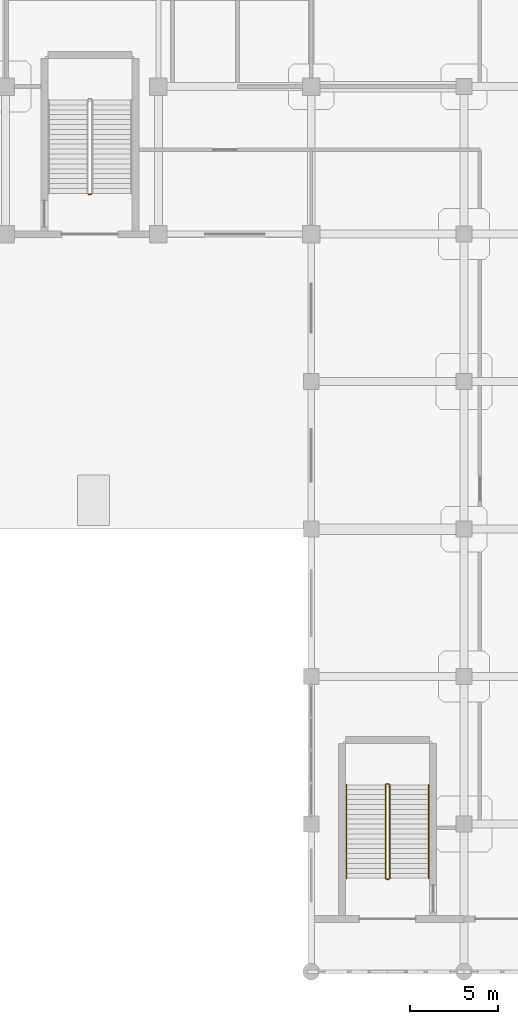
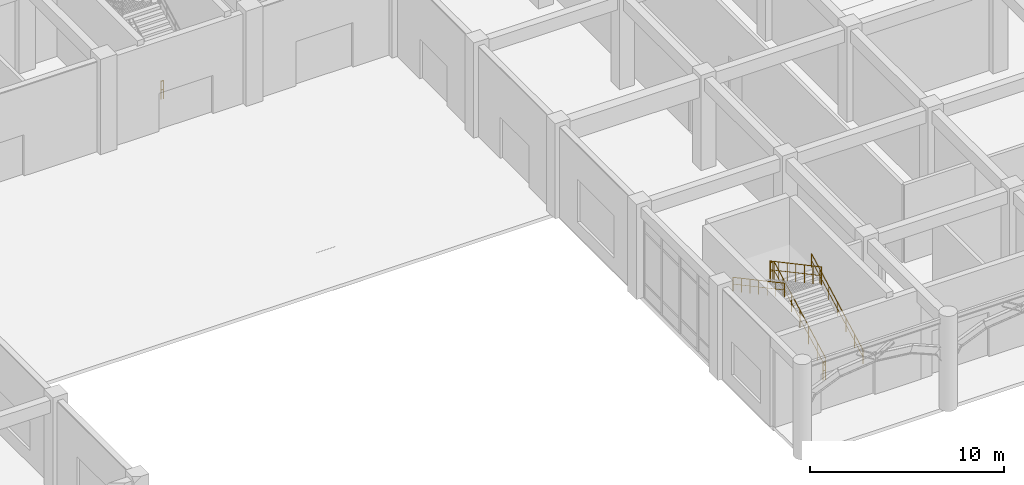
# One storey, part 76 of 82: 7 railings.
"""IFC4 building model written with IfcOpenShell, lengths in metres."""

from ifc_helpers import new_model, si_unit, derived_unit, direction, frame, origin, origin_2d, place, context, subcontext, project, spatial, circle, extrude, material, type_object, element, save


model = new_model("IFC4")

# Units and contexts
model_context = context("Model", 3, precision=1e-05, world=origin(), true_north=direction((0.0, 1.0)))
body_context = subcontext(model_context, "Body", "Model", "MODEL_VIEW")
ifc_project = project(units=[si_unit("LENGTHUNIT", "METRE"), si_unit("AREAUNIT", "SQUARE_METRE"), si_unit("VOLUMEUNIT", "CUBIC_METRE"), si_unit("PLANEANGLEUNIT", "RADIAN"), si_unit("MASSUNIT", "GRAM", prefix="KILO"), derived_unit("THERMALTRANSMITTANCEUNIT", [(si_unit("MASSUNIT", "GRAM", prefix="KILO"), 1), (si_unit("TIMEUNIT", "SECOND"), -3), (si_unit("THERMODYNAMICTEMPERATUREUNIT", "KELVIN"), -1)])], contexts=[model_context])

# Site, building, storey
site_placement = place(None, origin())
site = spatial("IfcSite", under=ifc_project, at=site_placement, CompositionType="ELEMENT")
building_placement = place(site_placement, origin())
building = spatial("IfcBuilding", under=site, at=building_placement, Name="Qinzheling Arcade Emporium", CompositionType="ELEMENT")
storey_placement = place(building_placement, origin())
storey = spatial("IfcBuildingStorey", under=building, at=storey_placement, Name="L01", CompositionType="ELEMENT", Elevation=0.0)

# Railings
ifc_material_1 = material(Name="Galvanised powder-coated tubular steel", Category="steel")
railing_type_1 = type_object("IfcRailingType", Name="Painted Steel Stairwell Guard Railing 1150", PredefinedType="GUARDRAIL", material=ifc_material_1)
railing_1_placement = place(storey_placement, frame((91.8701171875, 44.27001953125, 0.0)))
element("IfcRailing", 1, at=railing_1_placement, inside=storey, type_object=railing_type_1, Name="L01 ST04 stair guard 4", PredefinedType="GUARDRAIL", context=body_context, shape_type="SweptSolid", body=[
    extrude(circle(Radius=0.02392578125, at=origin_2d()), frame((0.0, 0.0, 1.1259765625), z_axis=(-1.0, 0.0, 0.0), x_axis=(0.0, -1.0, 0.0)), (0.0, 0.0, 1.0), 0.150146484375),
    extrude(circle(Radius=0.01611328125, at=origin_2d()), frame((0.0, 0.0, 0.574951171875), z_axis=(-1.0, 0.0, 0.0), x_axis=(0.0, -1.0, 0.0)), (0.0, 0.0, 1.0), 0.150146484375),
    extrude(circle(Radius=0.02099609375, at=origin_2d()), origin(), (0.0, 0.0, 1.0), 1.101806640625),
    extrude(circle(Radius=0.02099609375, at=origin_2d()), frame((-0.150146484375, 0.0, 0.0)), (0.0, 0.0, 1.0), 1.101806640625),
])
railing_2_placement = place(storey_placement, frame((108.875, 5.320068359375, 0.14990234375)))
element("IfcRailing", 2, at=railing_2_placement, inside=storey, type_object=railing_type_1, Name="L01 ST05 stair guard 1", PredefinedType="GUARDRAIL", context=body_context, shape_type="SweptSolid", body=[
    extrude(circle(Radius=0.02392578125, at=origin_2d()), frame((0.0, 0.0, 1.1259765625), z_axis=(0.0, 0.881466739329, 0.472246108991), x_axis=(-1.0, 0.0, 0.0)), (0.0, 0.0, 1.0), 6.03515625),
    extrude(circle(Radius=0.01611328125, at=origin_2d()), frame((0.0, 0.0, 0.574951171875), z_axis=(0.0, 0.881466739329, 0.472246108991), x_axis=(-1.0, 0.0, 0.0)), (0.0, 0.0, 1.0), 6.03515625),
    extrude(circle(Radius=0.02099609375, at=origin_2d()), origin(), (0.0, 0.0, 1.0), 1.101806640625),
    extrude(circle(Radius=0.02099609375, at=origin_2d()), frame((0.0, 0.88671875, 0.47509765625)), (0.0, 0.0, 1.0), 1.101806640625),
    extrude(circle(Radius=0.02099609375, at=origin_2d()), frame((0.0, 1.773193359375, 0.949951171875)), (0.0, 0.0, 1.0), 1.101806640625),
    extrude(circle(Radius=0.02099609375, at=origin_2d()), frame((0.0, 2.659912109375, 1.425048828125)), (0.0, 0.0, 1.0), 1.101806640625),
    extrude(circle(Radius=0.02099609375, at=origin_2d()), frame((0.0, 3.546630859375, 1.900146484375)), (0.0, 0.0, 1.0), 1.101806640625),
    extrude(circle(Radius=0.02099609375, at=origin_2d()), frame((0.0, 4.43310546875, 2.375)), (0.0, 0.0, 1.0), 1.101806640625),
    extrude(circle(Radius=0.02099609375, at=origin_2d()), frame((0.0, 5.31982421875, 2.85009765625)), (0.0, 0.0, 1.0), 1.101806640625),
])
railing_3_placement = place(storey_placement, frame((108.824951171875, 10.68994140625, 3.0)))
element("IfcRailing", 3, at=railing_3_placement, inside=storey, type_object=railing_type_1, Name="L01 ST05 stair guard 2", PredefinedType="GUARDRAIL", context=body_context, shape_type="SweptSolid", body=[
    extrude(circle(Radius=0.02392578125, at=origin_2d()), frame((0.0, 0.0, 1.1259765625), z_axis=(-1.0, 0.0, 0.0), x_axis=(0.0, -1.0, 0.0)), (0.0, 0.0, 1.0), 0.14990234375),
    extrude(circle(Radius=0.01611328125, at=origin_2d()), frame((0.0, 0.0, 0.574951171875), z_axis=(-1.0, 0.0, 0.0), x_axis=(0.0, -1.0, 0.0)), (0.0, 0.0, 1.0), 0.14990234375),
    extrude(circle(Radius=0.02099609375, at=origin_2d()), origin(), (0.0, 0.0, 1.0), 1.101806640625),
    extrude(circle(Radius=0.02099609375, at=origin_2d()), frame((-0.14990234375, 0.0, 0.0)), (0.0, 0.0, 1.0), 1.101806640625),
])
railing_4_placement = place(storey_placement, frame((108.625, 10.639892578125, 3.14990234375)))
element("IfcRailing", 4, at=railing_4_placement, inside=storey, type_object=railing_type_1, Name="L01 ST05 stair guard 3", PredefinedType="GUARDRAIL", context=body_context, shape_type="SweptSolid", body=[
    extrude(circle(Radius=0.02392578125, at=origin_2d()), frame((0.0, 0.0, 1.1259765625), z_axis=(0.0, -0.881466739329, 0.472246108991), x_axis=(1.0, 0.0, 0.0)), (0.0, 0.0, 1.0), 6.03515625),
    extrude(circle(Radius=0.01611328125, at=origin_2d()), frame((0.0, 0.0, 0.574951171875), z_axis=(0.0, -0.881466739329, 0.472246108991), x_axis=(1.0, 0.0, 0.0)), (0.0, 0.0, 1.0), 6.03515625),
    extrude(circle(Radius=0.02099609375, at=origin_2d()), origin(), (0.0, 0.0, 1.0), 1.101806640625),
    extrude(circle(Radius=0.02099609375, at=origin_2d()), frame((0.0, -0.88671875, 0.47509765625)), (0.0, 0.0, 1.0), 1.101806640625),
    extrude(circle(Radius=0.02099609375, at=origin_2d()), frame((0.0, -1.773193359375, 0.949951171875)), (0.0, 0.0, 1.0), 1.101806640625),
    extrude(circle(Radius=0.02099609375, at=origin_2d()), frame((0.0, -2.659912109375, 1.425048828125)), (0.0, 0.0, 1.0), 1.101806640625),
    extrude(circle(Radius=0.02099609375, at=origin_2d()), frame((0.0, -3.546630859375, 1.900146484375)), (0.0, 0.0, 1.0), 1.101806640625),
    extrude(circle(Radius=0.02099609375, at=origin_2d()), frame((0.0, -4.43310546875, 2.375)), (0.0, 0.0, 1.0), 1.101806640625),
    extrude(circle(Radius=0.02099609375, at=origin_2d()), frame((0.0, -5.31982421875, 2.85009765625)), (0.0, 0.0, 1.0), 1.101806640625),
])
railing_5_placement = place(storey_placement, frame((108.824951171875, 5.27001953125, 0.0)))
element("IfcRailing", 5, at=railing_5_placement, inside=storey, type_object=railing_type_1, Name="L01 ST05 stair guard 4", PredefinedType="GUARDRAIL", context=body_context, shape_type="SweptSolid", body=[
    extrude(circle(Radius=0.02392578125, at=origin_2d()), frame((0.0, 0.0, 1.1259765625), z_axis=(-1.0, 0.0, 0.0), x_axis=(0.0, -1.0, 0.0)), (0.0, 0.0, 1.0), 0.14990234375),
    extrude(circle(Radius=0.01611328125, at=origin_2d()), frame((0.0, 0.0, 0.574951171875), z_axis=(-1.0, 0.0, 0.0), x_axis=(0.0, -1.0, 0.0)), (0.0, 0.0, 1.0), 0.14990234375),
    extrude(circle(Radius=0.02099609375, at=origin_2d()), origin(), (0.0, 0.0, 1.0), 1.101806640625),
    extrude(circle(Radius=0.02099609375, at=origin_2d()), frame((-0.14990234375, 0.0, 0.0)), (0.0, 0.0, 1.0), 1.101806640625),
])
ifc_material_2 = material(Name="Brushed stainless steel 304", Category="steel")
railing_type_2 = type_object("IfcRailingType", Name="Stainless Steel Wall Handrail 900", PredefinedType="HANDRAIL", material=ifc_material_2)
railing_6_placement = place(storey_placement, frame((111.094970703125, 5.320068359375, 0.14990234375)))
element("IfcRailing", 6, at=railing_6_placement, inside=storey, type_object=railing_type_2, Name="L01 ST05 stair handrail 1", PredefinedType="HANDRAIL", context=body_context, shape_type="SweptSolid", body=[
    extrude(circle(Radius=0.02392578125, at=origin_2d()), frame((0.0, 0.0, 0.8759765625), z_axis=(0.0, 0.881466739329, 0.472246108991), x_axis=(-1.0, 0.0, 0.0)), (0.0, 0.0, 1.0), 6.03515625),
    extrude(circle(Radius=0.01611328125, at=origin_2d()), frame((0.0, 0.0, 0.449951171875), z_axis=(0.0, 0.881466739329, 0.472246108991), x_axis=(-1.0, 0.0, 0.0)), (0.0, 0.0, 1.0), 6.03515625),
    extrude(circle(Radius=0.02099609375, at=origin_2d()), origin(), (0.0, 0.0, 1.0), 0.851806640625),
    extrude(circle(Radius=0.02099609375, at=origin_2d()), frame((0.0, 0.88671875, 0.47509765625)), (0.0, 0.0, 1.0), 0.851806640625),
    extrude(circle(Radius=0.02099609375, at=origin_2d()), frame((0.0, 1.773193359375, 0.949951171875)), (0.0, 0.0, 1.0), 0.851806640625),
    extrude(circle(Radius=0.02099609375, at=origin_2d()), frame((0.0, 2.659912109375, 1.425048828125)), (0.0, 0.0, 1.0), 0.851806640625),
    extrude(circle(Radius=0.02099609375, at=origin_2d()), frame((0.0, 3.546630859375, 1.900146484375)), (0.0, 0.0, 1.0), 0.851806640625),
    extrude(circle(Radius=0.02099609375, at=origin_2d()), frame((0.0, 4.43310546875, 2.375)), (0.0, 0.0, 1.0), 0.851806640625),
    extrude(circle(Radius=0.02099609375, at=origin_2d()), frame((0.0, 5.31982421875, 2.85009765625)), (0.0, 0.0, 1.0), 0.851806640625),
])
railing_7_placement = place(storey_placement, frame((106.405029296875, 10.639892578125, 3.14990234375)))
element("IfcRailing", 7, at=railing_7_placement, inside=storey, type_object=railing_type_2, Name="L01 ST05 stair handrail 2", PredefinedType="HANDRAIL", context=body_context, shape_type="SweptSolid", body=[
    extrude(circle(Radius=0.02392578125, at=origin_2d()), frame((0.0, 0.0, 0.8759765625), z_axis=(0.0, -0.881466739329, 0.472246108991), x_axis=(1.0, 0.0, 0.0)), (0.0, 0.0, 1.0), 6.03515625),
    extrude(circle(Radius=0.01611328125, at=origin_2d()), frame((0.0, 0.0, 0.449951171875), z_axis=(0.0, -0.881466739329, 0.472246108991), x_axis=(1.0, 0.0, 0.0)), (0.0, 0.0, 1.0), 6.03515625),
    extrude(circle(Radius=0.02099609375, at=origin_2d()), origin(), (0.0, 0.0, 1.0), 0.851806640625),
    extrude(circle(Radius=0.02099609375, at=origin_2d()), frame((0.0, -0.88671875, 0.47509765625)), (0.0, 0.0, 1.0), 0.851806640625),
    extrude(circle(Radius=0.02099609375, at=origin_2d()), frame((0.0, -1.773193359375, 0.949951171875)), (0.0, 0.0, 1.0), 0.851806640625),
    extrude(circle(Radius=0.02099609375, at=origin_2d()), frame((0.0, -2.659912109375, 1.425048828125)), (0.0, 0.0, 1.0), 0.851806640625),
    extrude(circle(Radius=0.02099609375, at=origin_2d()), frame((0.0, -3.546630859375, 1.900146484375)), (0.0, 0.0, 1.0), 0.851806640625),
    extrude(circle(Radius=0.02099609375, at=origin_2d()), frame((0.0, -4.43310546875, 2.375)), (0.0, 0.0, 1.0), 0.851806640625),
    extrude(circle(Radius=0.02099609375, at=origin_2d()), frame((0.0, -5.31982421875, 2.85009765625)), (0.0, 0.0, 1.0), 0.851806640625),
])

save(model, "model.ifc")
